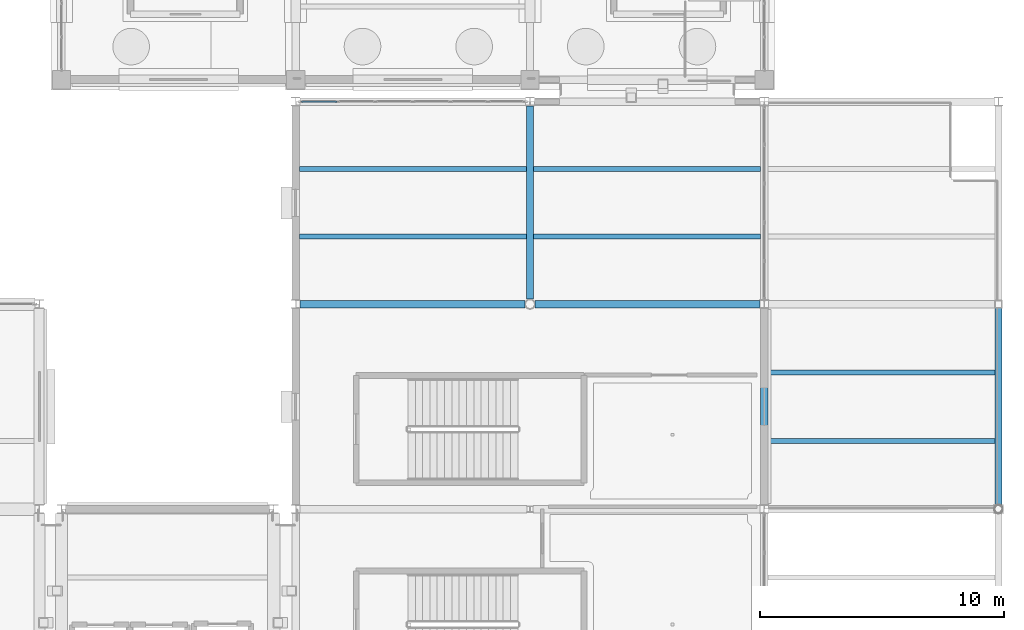
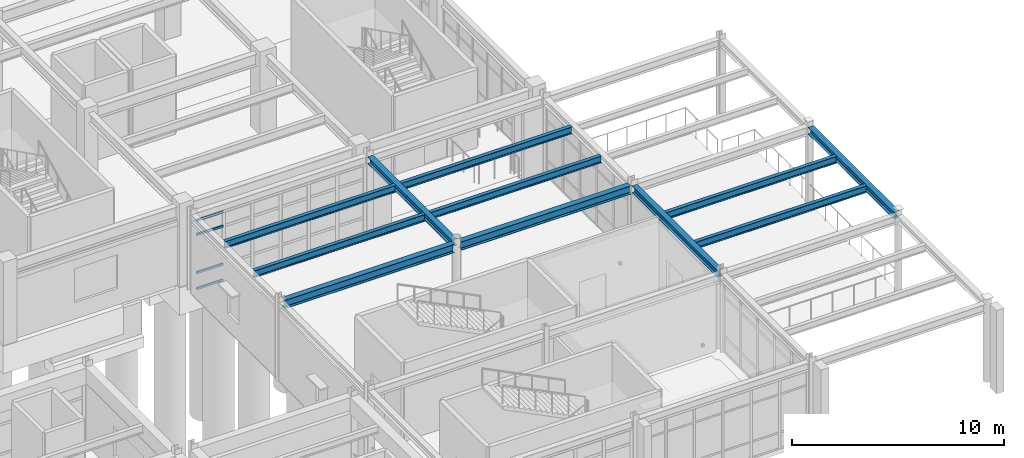
# One storey, part 35 of 139: 11 beams, 4 members, 1 element without a shape of its own.
"""IFC4 building model written with IfcOpenShell, lengths in metres."""

from ifc_helpers import new_model, si_unit, direction, frame, origin, origin_2d, place, context, subcontext, project, spatial, hollow_rectangle, i_section, extrude, material, material_profile, profile_set, type_object, element, aggregate, save


model = new_model("IFC4")

# Units and contexts
model_context = context("Model", 3, precision=1e-05, world=origin(), true_north=direction((0.0, 1.0)))
body_context = subcontext(model_context, "Body", "Model", "MODEL_VIEW")
ifc_project = project(units=[si_unit("LENGTHUNIT", "METRE"), si_unit("AREAUNIT", "SQUARE_METRE"), si_unit("VOLUMEUNIT", "CUBIC_METRE"), si_unit("PLANEANGLEUNIT", "RADIAN"), si_unit("MASSUNIT", "GRAM", prefix="KILO")], contexts=[model_context])

# Site, building, storey
site_placement = place(None, origin())
site = spatial("IfcSite", under=ifc_project, at=site_placement, CompositionType="ELEMENT")
building_placement = place(site_placement, origin())
building = spatial("IfcBuilding", under=site, at=building_placement, Name="Canglan Escarpment Cableway Terminal", CompositionType="ELEMENT")
storey_placement = place(building_placement, frame((0.0, 0.0, 14.39990234375)))
storey = spatial("IfcBuildingStorey", under=building, at=storey_placement, Name="L03", CompositionType="ELEMENT", Elevation=14.39990234375)

# Beams
ifc_material_1 = material(Name="Steel Q355B", Category="steel")
ifc_material_profile_1 = material_profile(ifc_material_1, i_section(OverallWidth=0.300048828125, OverallDepth=0.389892578125, WebThickness=0.010009765625, FlangeThickness=0.01611328125, FilletRadius=0.02197265625, at=origin_2d()), Name="HM 390x300x10x16")
ifc_profile_set_1 = profile_set([ifc_material_profile_1], Name="Steel Q355B")
beam_type_1 = type_object("IfcBeamType", Name="BM-ARCH-TOP-HM390", PredefinedType="BEAM", material=ifc_profile_set_1)
beam_1_placement = place(storey_placement, frame((156.800048828125, 25.003173828125, 4.30517578125), z_axis=(0.0, 1.0, 0.0), x_axis=(-1.0, 0.0, 0.0)))
element("IfcBeam", 1, at=beam_1_placement, inside=storey, type_object=beam_type_1, Name="Primary transverse girder AR-TC1", PredefinedType="BEAM", context=body_context, shape_type="SweptSolid", body=[
    extrude(i_section(OverallWidth=0.300048828125, OverallDepth=0.389892578125, WebThickness=0.010009765625, FlangeThickness=0.01611328125, FilletRadius=0.02197265625, at=origin_2d()), origin(), (0.0, 0.0, 1.0), 7.921875),
])
beam_2_placement = place(storey_placement, frame((166.39990234375, 16.574951171875, 4.30517578125), z_axis=(0.0, 1.0, 0.0), x_axis=(-1.0, 0.0, 0.0)))
element("IfcBeam", 2, at=beam_2_placement, inside=storey, type_object=beam_type_1, Name="Primary transverse girder AR-TC1", PredefinedType="BEAM", context=body_context, shape_type="SweptSolid", body=[
    extrude(i_section(OverallWidth=0.300048828125, OverallDepth=0.389892578125, WebThickness=0.010009765625, FlangeThickness=0.01611328125, FilletRadius=0.02197265625, at=origin_2d()), origin(), (0.0, 0.0, 1.0), 8.050048828125),
])
beam_3_placement = place(storey_placement, frame((176.0, 16.577880859375, 4.30517578125), z_axis=(0.0, 1.0, 0.0), x_axis=(-1.0, 0.0, 0.0)))
element("IfcBeam", 3, at=beam_3_placement, inside=storey, type_object=beam_type_1, Name="Primary transverse girder AR-TC1", PredefinedType="BEAM", context=body_context, shape_type="SweptSolid", body=[
    extrude(i_section(OverallWidth=0.300048828125, OverallDepth=0.389892578125, WebThickness=0.010009765625, FlangeThickness=0.01611328125, FilletRadius=0.02197265625, at=origin_2d()), origin(), (0.0, 0.0, 1.0), 8.072021484375),
])
ifc_material_profile_2 = material_profile(ifc_material_1, i_section(OverallWidth=0.300048828125, OverallDepth=0.488037109375, WebThickness=0.010986328125, FlangeThickness=0.01806640625, FilletRadius=0.02587890625, at=origin_2d()), Name="HM 488x300x11x18")
ifc_profile_set_2 = profile_set([ifc_material_profile_2], Name="Steel Q355B")
beam_type_2 = type_object("IfcBeamType", Name="BM-HM488", PredefinedType="BEAM", material=ifc_profile_set_2)
beam_4_placement = place(storey_placement, frame((147.375, 24.800048828125, 4.256103515625), z_axis=(1.0, 0.0, 0.0), x_axis=(0.0, 1.0, 0.0)))
element("IfcBeam", 4, at=beam_4_placement, inside=storey, type_object=beam_type_2, Name="Primary structural girder B-09", PredefinedType="BEAM", context=body_context, shape_type="SweptSolid", body=[
    extrude(i_section(OverallWidth=0.300048828125, OverallDepth=0.488037109375, WebThickness=0.010986328125, FlangeThickness=0.01806640625, FilletRadius=0.02587890625, at=origin_2d()), origin(), (0.0, 0.0, 1.0), 9.2216796875),
])
beam_5_placement = place(storey_placement, frame((157.003173828125, 24.800048828125, 4.256103515625), z_axis=(1.0, 0.0, 0.0), x_axis=(0.0, 1.0, 0.0)))
element("IfcBeam", 5, at=beam_5_placement, inside=storey, type_object=beam_type_2, Name="Primary structural girder B-09", PredefinedType="BEAM", context=body_context, shape_type="SweptSolid", body=[
    extrude(i_section(OverallWidth=0.300048828125, OverallDepth=0.488037109375, WebThickness=0.010986328125, FlangeThickness=0.01806640625, FilletRadius=0.02587890625, at=origin_2d()), origin(), (0.0, 0.0, 1.0), 9.221923828125),
])

# Curtain wall, members
ifc_material_2 = material(Name="Anodized bronze aluminium and Low-E double glazing", Category="aluminium")
curtain_wall_type = type_object("IfcCurtainWallType", Name="CW-BAY-9250x4000", PredefinedType="NOTDEFINED", material=ifc_material_2)
curtain_wall_placement = place(storey_placement, origin())
curtain_wall = element("IfcCurtainWall", 6, at=curtain_wall_placement, inside=storey, type_object=curtain_wall_type, Name="Classical bay-between-piers glazed curtain wall CW-32", PredefinedType="NOTDEFINED")
ifc_material_3 = material(Name="Thermally broken anodized aluminium 6063-T6", Category="aluminium")
ifc_material_profile_3 = material_profile(ifc_material_3, hollow_rectangle(XDim=0.06494140625, YDim=0.139892578125, WallThickness=0.00341796875, InnerFilletRadius=0.00341796875, OuterFilletRadius=0.007080078125, at=origin_2d()), Name="ALU-TRAN 65x140x3.5")
ifc_profile_set_3 = profile_set([ifc_material_profile_3], Name="Thermally broken anodized aluminium 6063-T6")
member_type = type_object("IfcMemberType", Name="CWT-03", PredefinedType="USERDEFINED", material=ifc_profile_set_3)
member_1_placement = place(storey_placement, frame((148.88427734375, 33.10009765625, 0.03271484375), z_axis=(-1.0, 0.0, 0.0), x_axis=(0.0, -1.0, 0.0)))
member_1 = element("IfcMember", 7, at=member_1_placement, type_object=member_type, Name="CW-32 transom 6.1", ObjectType="TRANSOM", PredefinedType="USERDEFINED", context=body_context, shape_type="SweptSolid", body=[
    extrude(hollow_rectangle(XDim=0.06494140625, YDim=0.139892578125, WallThickness=0.00341796875, InnerFilletRadius=0.00341796875, OuterFilletRadius=0.007080078125, at=origin_2d()), origin(), (0.0, 0.0, 1.0), 1.4443359375),
])
member_2_placement = place(storey_placement, frame((148.88427734375, 33.10009765625, 0.9501953125), z_axis=(-1.0, 0.0, 0.0), x_axis=(0.0, -1.0, 0.0)))
member_2 = element("IfcMember", 8, at=member_2_placement, type_object=member_type, Name="CW-32 transom 6.2", ObjectType="TRANSOM", PredefinedType="USERDEFINED", context=body_context, shape_type="SweptSolid", body=[
    extrude(hollow_rectangle(XDim=0.06494140625, YDim=0.139892578125, WallThickness=0.00341796875, InnerFilletRadius=0.00341796875, OuterFilletRadius=0.007080078125, at=origin_2d()), origin(), (0.0, 0.0, 1.0), 1.4443359375),
])
member_3_placement = place(storey_placement, frame((148.88427734375, 33.10009765625, 3.147216796875), z_axis=(-1.0, 0.0, 0.0), x_axis=(0.0, -1.0, 0.0)))
member_3 = element("IfcMember", 9, at=member_3_placement, type_object=member_type, Name="CW-32 transom 6.3", ObjectType="TRANSOM", PredefinedType="USERDEFINED", context=body_context, shape_type="SweptSolid", body=[
    extrude(hollow_rectangle(XDim=0.06494140625, YDim=0.139892578125, WallThickness=0.00341796875, InnerFilletRadius=0.00341796875, OuterFilletRadius=0.007080078125, at=origin_2d()), origin(), (0.0, 0.0, 1.0), 1.4443359375),
])
member_4_placement = place(storey_placement, frame((148.88427734375, 33.10009765625, 3.964599609375), z_axis=(-1.0, 0.0, 0.0), x_axis=(0.0, -1.0, 0.0)))
member_4 = element("IfcMember", 10, at=member_4_placement, type_object=member_type, Name="CW-32 transom 6.4", ObjectType="TRANSOM", PredefinedType="USERDEFINED", context=body_context, shape_type="SweptSolid", body=[
    extrude(hollow_rectangle(XDim=0.06494140625, YDim=0.139892578125, WallThickness=0.00341796875, InnerFilletRadius=0.00341796875, OuterFilletRadius=0.007080078125, at=origin_2d()), origin(), (0.0, 0.0, 1.0), 1.4443359375),
])
aggregate(curtain_wall, [member_1, member_2, member_3, member_4])

# Beams
ifc_material_profile_4 = material_profile(ifc_material_1, i_section(OverallWidth=0.199951171875, OverallDepth=0.39990234375, WebThickness=0.008056640625, FlangeThickness=0.012939453125, FilletRadius=0.01611328125, at=origin_2d()), Name="HN 400x200x8x13")
ifc_profile_set_4 = profile_set([ifc_material_profile_4], Name="Steel Q355B")
beam_type_3 = type_object("IfcBeamType", Name="JS-HN400", PredefinedType="JOIST", material=ifc_profile_set_4)
for number, where, z_axis, x_axis, name in (
    (11, (147.35009765625, 27.566650390625, 4.300048828125), (1.0, 0.0, 0.0), (0.0, 1.0, 0.0), "Secondary composite deck joist J-03"),
    (12, (147.35009765625, 30.333251953125, 4.300048828125), (1.0, 0.0, 0.0), (0.0, 1.0, 0.0), "Secondary composite deck joist J-03"),
):
    element("IfcBeam", number, at=place(storey_placement, frame(where, z_axis=z_axis, x_axis=x_axis)), inside=storey, type_object=beam_type_3, Name=name, PredefinedType="JOIST", context=body_context, shape_type="SweptSolid", body=[
        extrude(i_section(OverallWidth=0.199951171875, OverallDepth=0.39990234375, WebThickness=0.008056640625, FlangeThickness=0.012939453125, FilletRadius=0.01611328125, at=origin_2d()), origin(), (0.0, 0.0, 1.0), 9.2998046875),
    ])
for number, where, z_axis, x_axis, name in (
    (13, (156.949951171875, 27.566650390625, 4.300048828125), (1.0, 0.0, 0.0), (0.0, 1.0, 0.0), "Secondary composite deck joist J-03"),
    (14, (156.949951171875, 30.333251953125, 4.300048828125), (1.0, 0.0, 0.0), (0.0, 1.0, 0.0), "Secondary composite deck joist J-03"),
    (15, (166.550048828125, 19.199951171875, 4.300048828125), (1.0, 0.0, 0.0), (0.0, 1.0, 0.0), "Secondary composite deck joist J-03"),
    (16, (166.550048828125, 22.0, 4.300048828125), (1.0, 0.0, 0.0), (0.0, 1.0, 0.0), "Secondary composite deck joist J-03"),
):
    element("IfcBeam", number, at=place(storey_placement, frame(where, z_axis=z_axis, x_axis=x_axis)), inside=storey, type_object=beam_type_3, Name=name, PredefinedType="JOIST", context=body_context, shape_type="SweptSolid", body=[
        extrude(i_section(OverallWidth=0.199951171875, OverallDepth=0.39990234375, WebThickness=0.008056640625, FlangeThickness=0.012939453125, FilletRadius=0.01611328125, at=origin_2d()), origin(), (0.0, 0.0, 1.0), 9.300048828125),
    ])

save(model, "model.ifc")
